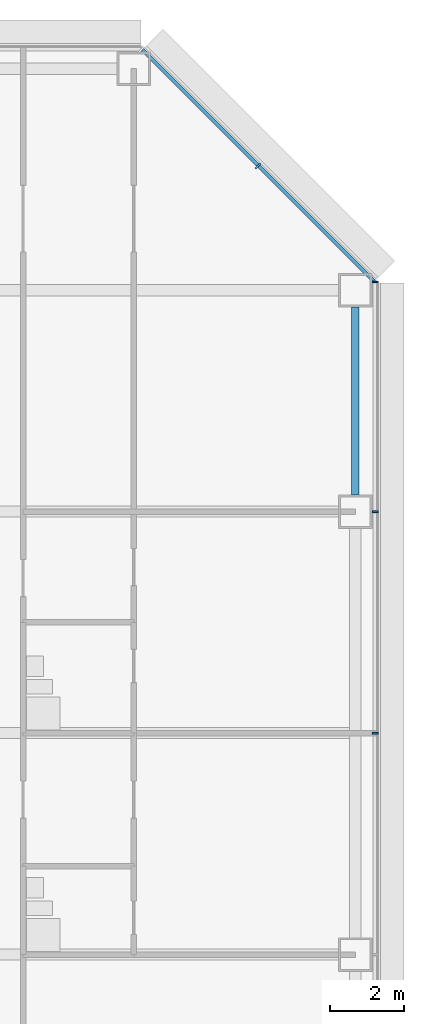
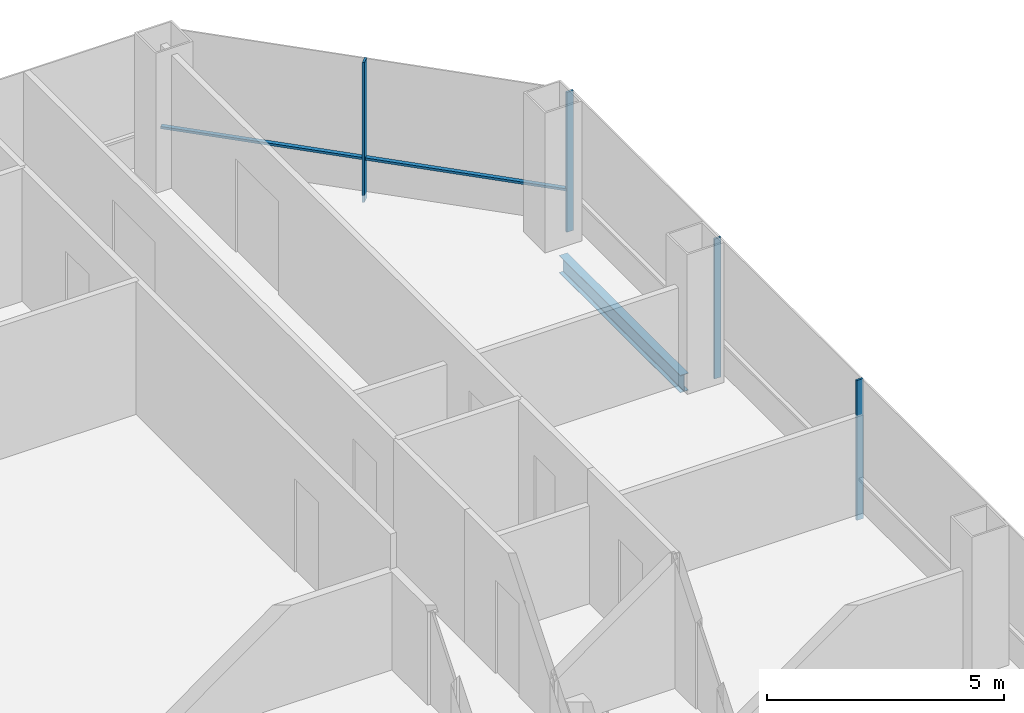
# One storey, part 18 of 26: 5 members, 1 beam, 2 elements without a shape of their own.
"""IFC4 building model written with IfcOpenShell, lengths in metres."""

from ifc_helpers import new_model, si_unit, direction, frame, origin, origin_2d, place, context, subcontext, project, spatial, rectangle, i_section, extrude, material, material_profile, profile_set, type_object, element, aggregate, save


model = new_model("IFC4")

# Units and contexts
model_context = context("Model", 3, precision=1e-05, world=origin(), true_north=direction((0.0, 1.0)))
body_context = subcontext(model_context, "Body", "Model", "MODEL_VIEW")
ifc_project = project(units=[si_unit("LENGTHUNIT", "METRE"), si_unit("AREAUNIT", "SQUARE_METRE"), si_unit("VOLUMEUNIT", "CUBIC_METRE"), si_unit("PLANEANGLEUNIT", "RADIAN"), si_unit("MASSUNIT", "GRAM", prefix="KILO")], contexts=[model_context])

# Site, building, storey
site_placement = place(None, origin())
site = spatial("IfcSite", under=ifc_project, at=site_placement, CompositionType="ELEMENT")
building_placement = place(site_placement, origin())
building = spatial("IfcBuilding", under=site, at=building_placement, Name="Sorahane Residences", CompositionType="ELEMENT")
storey_placement = place(building_placement, frame((0.0, 0.0, 67.800048828125)))
storey = spatial("IfcBuildingStorey", under=building, at=storey_placement, Name="L13", CompositionType="ELEMENT", Elevation=67.800048828125)

# Curtain wall, members
ifc_material_1 = material(Name="Dark low-e glass and black anodised aluminium", Category="aluminium")
curtain_wall_type_1 = type_object("IfcCurtainWallType", Name="Curtain wall CW-1 Typical unitised wall", PredefinedType="NOTDEFINED", material=ifc_material_1)
curtain_wall_1_placement = place(storey_placement, origin())
curtain_wall_1 = element("IfcCurtainWall", 1, at=curtain_wall_1_placement, inside=storey, type_object=curtain_wall_type_1, Name="CW-1 curtain wall L13 E1", PredefinedType="NOTDEFINED")
ifc_material_2 = material(Name="Black anodised aluminium", Category="aluminium")
ifc_material_profile_1 = material_profile(ifc_material_2, rectangle(XDim=0.159912109375, YDim=0.050048828125, at=origin_2d()), Name="Curtain wall mullion CW-1 black anodised aluminium 50x160")
ifc_profile_set_1 = profile_set([ifc_material_profile_1], Name="Black anodised aluminium")
member_type_1 = type_object("IfcMemberType", Name="Curtain wall mullion CW-1 black anodised aluminium 50x160", PredefinedType="MULLION", material=ifc_profile_set_1)
member_1_placement = place(storey_placement, frame((66.5400390625, 30.0, -0.179931640625), z_axis=(0.0, 0.0, 1.0), x_axis=(1.0, 0.0, 0.0)))
member_1 = element("IfcMember", 2, at=member_1_placement, type_object=member_type_1, Name="CW-1 mullion L13 E1.5", PredefinedType="MULLION", context=body_context, shape_type="SweptSolid", body=[
    extrude(rectangle(XDim=0.159912109375, YDim=0.050048828125, at=origin_2d()), origin(), (0.0, 0.0, 1.0), 3.599853515625),
])
member_2_placement = place(storey_placement, frame((66.5400390625, 36.0, -0.179931640625), z_axis=(0.0, 0.0, 1.0), x_axis=(1.0, 0.0, 0.0)))
member_2 = element("IfcMember", 3, at=member_2_placement, type_object=member_type_1, Name="CW-1 mullion L13 E1.6", PredefinedType="MULLION", context=body_context, shape_type="SweptSolid", body=[
    extrude(rectangle(XDim=0.159912109375, YDim=0.050048828125, at=origin_2d()), origin(), (0.0, 0.0, 1.0), 3.599853515625),
])
member_3_placement = place(storey_placement, frame((66.5400390625, 42.2236328125, -0.179931640625), z_axis=(0.0, 0.0, 1.0), x_axis=(1.0, 0.0, 0.0)))
member_3 = element("IfcMember", 4, at=member_3_placement, type_object=member_type_1, Name="CW-1 mullion L13 E1.7", PredefinedType="MULLION", context=body_context, shape_type="SweptSolid", body=[
    extrude(rectangle(XDim=0.159912109375, YDim=0.050048828125, at=origin_2d()), origin(), (0.0, 0.0, 1.0), 3.599853515625),
])
aggregate(curtain_wall_1, [member_1, member_2, member_3])

ifc_material_3 = material(Name="Dark low-e glass and black anodised aluminium", Category="aluminium")
curtain_wall_type_2 = type_object("IfcCurtainWallType", Name="Curtain wall CW-2 Chamfer unitised wall", PredefinedType="NOTDEFINED", material=ifc_material_3)
curtain_wall_2_placement = place(storey_placement, origin())
curtain_wall_2 = element("IfcCurtainWall", 5, at=curtain_wall_2_placement, inside=storey, type_object=curtain_wall_type_2, Name="CW-2 curtain wall L13 NE1", PredefinedType="NOTDEFINED")
ifc_material_4 = material(Name="Black anodised aluminium", Category="aluminium")
ifc_material_profile_2 = material_profile(ifc_material_4, rectangle(XDim=0.199951171875, YDim=0.050048828125, at=origin_2d()), Name="Curtain wall mullion CW-2 black anodised aluminium 50x200")
ifc_profile_set_2 = profile_set([ifc_material_profile_2], Name="Black anodised aluminium")
member_type_2 = type_object("IfcMemberType", Name="Curtain wall mullion CW-2 black anodised aluminium 50x200", PredefinedType="MULLION", material=ifc_profile_set_2)
member_4_placement = place(storey_placement, frame((63.36767578125, 45.36767578125, -0.179931640625), z_axis=(0.0, 0.0, 1.0), x_axis=(0.707106781187, 0.707106781187, 0.0)))
member_4 = element("IfcMember", 6, at=member_4_placement, type_object=member_type_2, Name="CW-2 mullion L13 NE1.2", PredefinedType="MULLION", context=body_context, shape_type="SweptSolid", body=[
    extrude(rectangle(XDim=0.199951171875, YDim=0.050048828125, at=origin_2d()), origin(), (0.0, 0.0, 1.0), 3.599853515625),
])
ifc_material_5 = material(Name="Black anodised aluminium", Category="aluminium")
ifc_material_profile_3 = material_profile(ifc_material_5, rectangle(XDim=0.10009765625, YDim=0.06005859375, at=origin_2d()), Name="Curtain wall transom CW-2 black anodised aluminium 60x100")
ifc_profile_set_3 = profile_set([ifc_material_profile_3], Name="Black anodised aluminium")
member_type_3 = type_object("IfcMemberType", Name="Curtain wall transom CW-2 black anodised aluminium 60x100", PredefinedType="USERDEFINED", material=ifc_profile_set_3)
member_5_placement = place(storey_placement, frame((66.51513671875, 42.234375, 0.89990234375), z_axis=(-0.707106781187, 0.707106781187, 0.0), x_axis=(-0.707106781187, -0.707106781187, 0.0)))
member_5 = element("IfcMember", 7, at=member_5_placement, type_object=member_type_3, Name="CW-2 transom L13 NE1", ObjectType="TRANSOM", PredefinedType="USERDEFINED", context=body_context, shape_type="SweptSolid", body=[
    extrude(rectangle(XDim=0.10009765625, YDim=0.06005859375, at=origin_2d()), origin(), (0.0, 0.0, 1.0), 8.88232421875),
])
aggregate(curtain_wall_2, [member_4, member_5])

# Beam
ifc_material_6 = material(Name="Steel Q355B", Category="steel")
ifc_material_profile_4 = material_profile(ifc_material_6, i_section(OverallWidth=0.199951171875, OverallDepth=0.449951171875, WebThickness=0.009033203125, FlangeThickness=0.013916015625, FilletRadius=0.02001953125, at=origin_2d()), Name="HN 450x200x9x14")
ifc_profile_set_4 = profile_set([ifc_material_profile_4], Name="Steel Q355B")
beam_type = type_object("IfcBeamType", Name="Steel floor beam HN 450x200x9x14 Q355B", PredefinedType="BEAM", material=ifc_profile_set_4)
beam_placement = place(storey_placement, frame((66.0, 36.449951171875, -0.405029296875), z_axis=(0.0, 1.0, 0.0), x_axis=(-1.0, 0.0, 0.0)))
element("IfcBeam", 8, at=beam_placement, inside=storey, type_object=beam_type, Name="Beam L13 060", PredefinedType="BEAM", context=body_context, shape_type="SweptSolid", body=[
    extrude(i_section(OverallWidth=0.199951171875, OverallDepth=0.449951171875, WebThickness=0.009033203125, FlangeThickness=0.013916015625, FilletRadius=0.02001953125, at=origin_2d()), origin(), (0.0, 0.0, 1.0), 5.10009765625),
])

save(model, "model.ifc")
